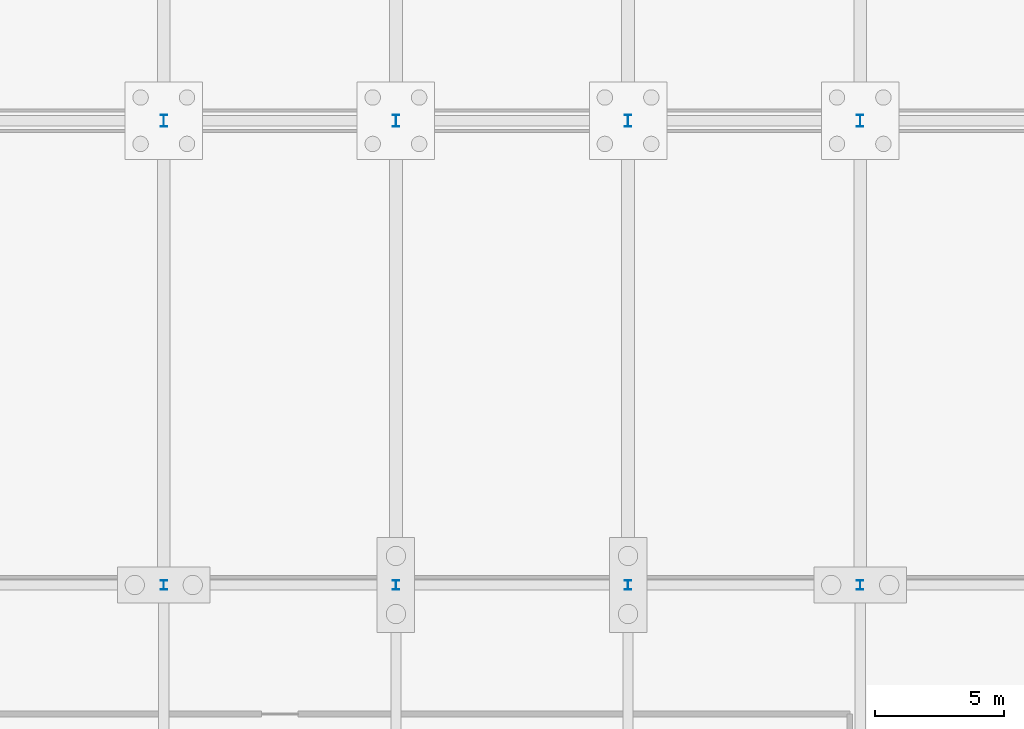
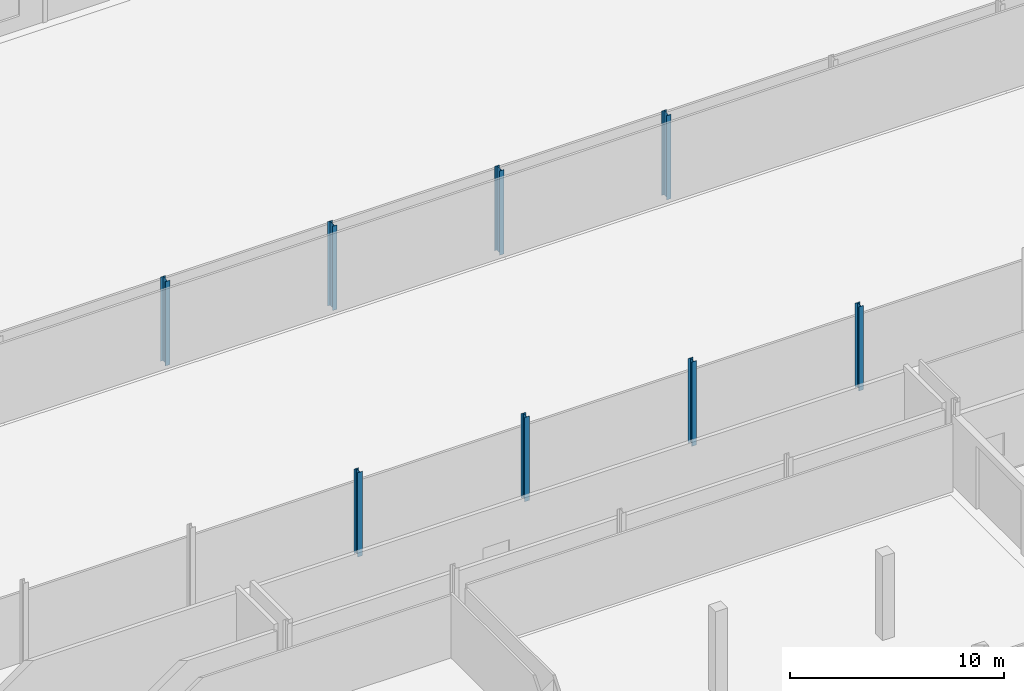
# One storey, part 28 of 112: 8 columns.
"""IFC4 building model written with IfcOpenShell, lengths in metres."""

from ifc_helpers import new_model, si_unit, direction, frame, origin, origin_2d, place, context, subcontext, project, spatial, i_section, extrude, material, material_profile, profile_set, type_object, element, save


model = new_model("IFC4")

# Units and contexts
model_context = context("Model", 3, precision=1e-05, world=origin(), true_north=direction((0.0, 1.0)))
body_context = subcontext(model_context, "Body", "Model", "MODEL_VIEW")
ifc_project = project(units=[si_unit("LENGTHUNIT", "METRE"), si_unit("AREAUNIT", "SQUARE_METRE"), si_unit("VOLUMEUNIT", "CUBIC_METRE"), si_unit("PLANEANGLEUNIT", "RADIAN"), si_unit("MASSUNIT", "GRAM", prefix="KILO")], contexts=[model_context])

# Site, building, storey
site_placement = place(None, origin())
site = spatial("IfcSite", under=ifc_project, at=site_placement, CompositionType="ELEMENT")
building_placement = place(site_placement, origin())
building = spatial("IfcBuilding", under=site, at=building_placement, Name="Tharagai Park Tramway Depot", CompositionType="ELEMENT")
storey_placement = place(building_placement, origin())
storey = spatial("IfcBuildingStorey", under=building, at=storey_placement, Name="L00", CompositionType="ELEMENT", Elevation=0.0)

# Columns
ifc_material = material(Name="Steel E350", Category="steel")
ifc_material_profile_1 = material_profile(ifc_material, i_section(OverallWidth=0.25, OverallDepth=0.449951171875, WebThickness=0.01123046875, FlangeThickness=0.013671875, FilletRadius=0.014892578125, at=origin_2d()), Name="ISHB 450")
ifc_profile_set_1 = profile_set([ifc_material_profile_1], Name="Steel E350")
column_type_1 = type_object("IfcColumnType", Name="CL-01", PredefinedType="COLUMN", material=ifc_profile_set_1)
for number, where, z_axis, x_axis, name in (
    (1, (63.0, 117.0, 0.0), (0.0, 0.0, 1.0), (1.0, 0.0, 0.0), "L00 Structural Column CL-01 (63,117)"),
    (2, (72.0, 117.0, 0.0), (0.0, 0.0, 1.0), (1.0, 0.0, 0.0), "L00 Structural Column CL-01 (72,117)"),
    (3, (81.0, 117.0, 0.0), (0.0, 0.0, 1.0), (1.0, 0.0, 0.0), "L00 Structural Column CL-01 (81,117)"),
    (4, (90.0, 117.0, 0.0), (0.0, 0.0, 1.0), (1.0, 0.0, 0.0), "L00 Structural Column CL-01 (90,117)"),
):
    element("IfcColumn", number, at=place(storey_placement, frame(where, z_axis=z_axis, x_axis=x_axis)), inside=storey, type_object=column_type_1, Name=name, PredefinedType="COLUMN", context=body_context, shape_type="SweptSolid", body=[
        extrude(i_section(OverallWidth=0.25, OverallDepth=0.449951171875, WebThickness=0.01123046875, FlangeThickness=0.013671875, FilletRadius=0.014892578125, at=origin_2d()), origin(), (0.0, 0.0, 1.0), 4.800048828125),
    ])
ifc_material_profile_2 = material_profile(ifc_material, i_section(OverallWidth=0.25, OverallDepth=0.35009765625, WebThickness=0.010009765625, FlangeThickness=0.01171875, FilletRadius=0.011962890625, at=origin_2d()), Name="ISHB 350")
ifc_profile_set_2 = profile_set([ifc_material_profile_2], Name="Steel E350")
column_type_2 = type_object("IfcColumnType", Name="CL-09", PredefinedType="COLUMN", material=ifc_profile_set_2)
for number, where, z_axis, x_axis, name in (
    (5, (63.0, 99.0, 0.0), (0.0, 0.0, 1.0), (1.0, 0.0, 0.0), "L00 Structural Column CL-09 (63,99)"),
    (6, (72.0, 99.0, 0.0), (0.0, 0.0, 1.0), (1.0, 0.0, 0.0), "L00 Structural Column CL-09 (72,99)"),
    (7, (81.0, 99.0, 0.0), (0.0, 0.0, 1.0), (1.0, 0.0, 0.0), "L00 Structural Column CL-09 (81,99)"),
    (8, (90.0, 99.0, 0.0), (0.0, 0.0, 1.0), (1.0, 0.0, 0.0), "L00 Structural Column CL-09 (90,99)"),
):
    element("IfcColumn", number, at=place(storey_placement, frame(where, z_axis=z_axis, x_axis=x_axis)), inside=storey, type_object=column_type_2, Name=name, PredefinedType="COLUMN", context=body_context, shape_type="SweptSolid", body=[
        extrude(i_section(OverallWidth=0.25, OverallDepth=0.35009765625, WebThickness=0.010009765625, FlangeThickness=0.01171875, FilletRadius=0.011962890625, at=origin_2d()), origin(), (0.0, 0.0, 1.0), 4.800048828125),
    ])

save(model, "model.ifc")
